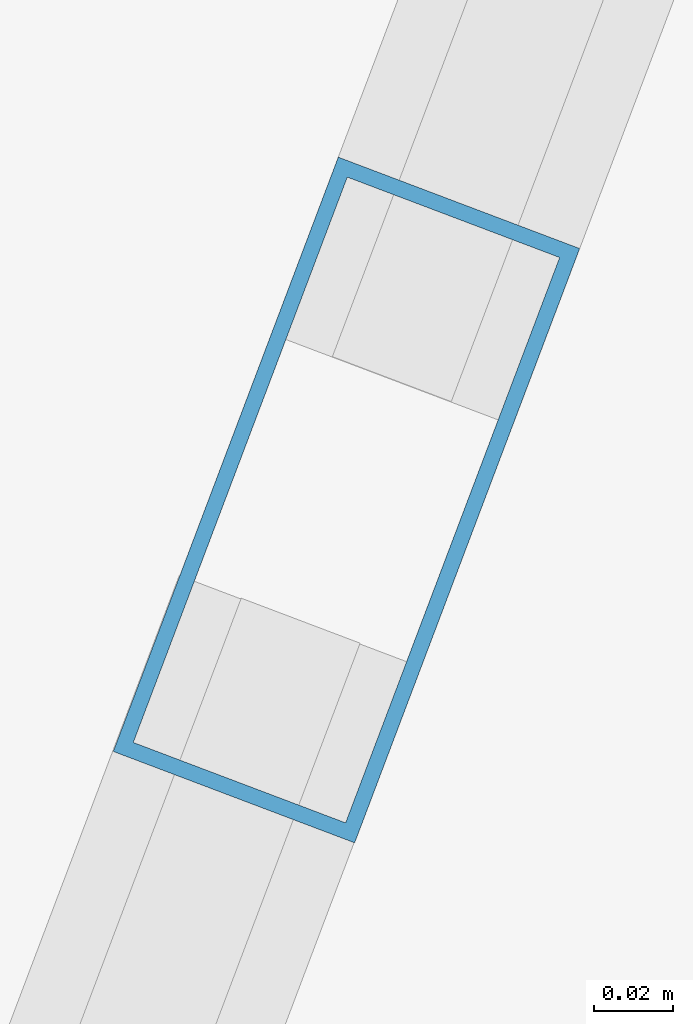
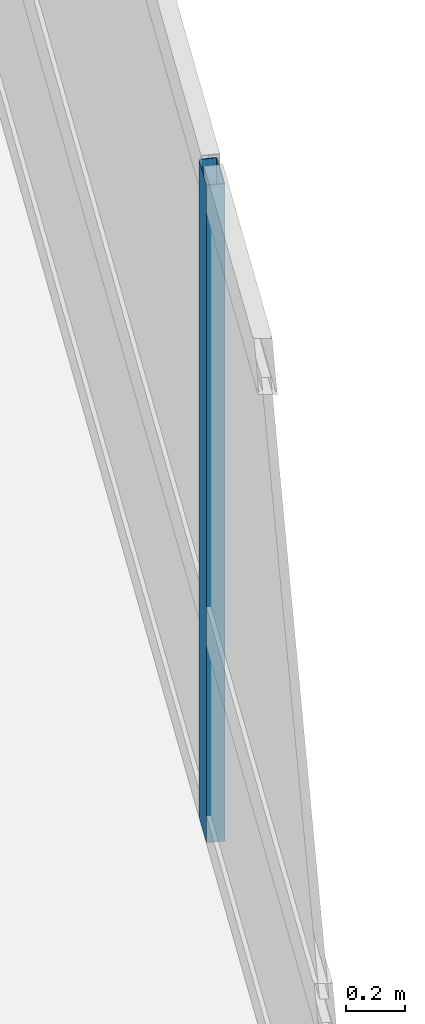
# One storey, part 14 of 25: 1 member, 1 element without a shape of its own.
"""IFC4 building model written with IfcOpenShell, lengths in metres."""

from ifc_helpers import new_model, si_unit, direction, frame, origin, origin_2d, place, context, subcontext, project, spatial, hollow_rectangle, extrude, material, layer, layer_set, material_profile, profile_set, type_object, element, aggregate, save


model = new_model("IFC4")

# Units and contexts
model_context = context("Model", 3, precision=1e-05, world=origin(), true_north=direction((0.0, 1.0)))
body_context = subcontext(model_context, "Body", "Model", "MODEL_VIEW")
ifc_project = project(units=[si_unit("LENGTHUNIT", "METRE"), si_unit("AREAUNIT", "SQUARE_METRE"), si_unit("VOLUMEUNIT", "CUBIC_METRE"), si_unit("PLANEANGLEUNIT", "RADIAN"), si_unit("MASSUNIT", "GRAM", prefix="KILO")], contexts=[model_context])

# Site, building, storey
site_placement = place(None, origin())
site = spatial("IfcSite", under=ifc_project, at=site_placement, CompositionType="ELEMENT")
building_placement = place(site_placement, origin())
building = spatial("IfcBuilding", under=site, at=building_placement, Name="Varnelok Gate Tower", CompositionType="ELEMENT")
storey_placement = place(building_placement, frame((0.0, 0.0, 105.800048828125)))
storey = spatial("IfcBuildingStorey", under=building, at=storey_placement, Name="L26", CompositionType="ELEMENT", Elevation=105.800048828125)

# Curtain wall, member
ifc_material = material(Name="Anodized Aluminum Alloy 6063-T6", Category="aluminium")
ifc_layer = layer(ifc_material, 0.179931640625)
ifc_layer_set = layer_set([ifc_layer], Name="Anodized Aluminum Alloy 6063-T6")
curtain_wall_type = type_object("IfcCurtainWallType", Name="CW3-HOTEL-VISION", PredefinedType="USERDEFINED", material=ifc_layer_set)
curtain_wall_placement = place(storey_placement, origin())
curtain_wall = element("IfcCurtainWall", 1, at=curtain_wall_placement, inside=storey, type_object=curtain_wall_type, Name="L26 East End Vision Curtain Wall", ObjectType="UNITISED CURTAIN WALL", PredefinedType="USERDEFINED")
ifc_material_profile = material_profile(ifc_material, hollow_rectangle(XDim=0.06494140625, YDim=0.159912109375, WallThickness=0.00390625, at=origin_2d()), Name="ALU160X65X4")
ifc_profile_set = profile_set([ifc_material_profile], Name="Anodized Aluminum Alloy 6063-T6")
member_type = type_object("IfcMemberType", Name="CW-MULL-160", PredefinedType="MULLION", material=ifc_profile_set)
member_placement = place(storey_placement, frame((77.8916015625, 22.26416015625, 0.0), z_axis=(0.0, 0.0, 1.0), x_axis=(0.935221323688, -0.354063660545, 0.0)))
member = element("IfcMember", 2, at=member_placement, type_object=member_type, Name="CW3 mullion 2", PredefinedType="MULLION", context=body_context, shape_type="SweptSolid", body=[
    extrude(hollow_rectangle(XDim=0.06494140625, YDim=0.159912109375, WallThickness=0.00390625, at=origin_2d()), origin(), (0.0, 0.0, 1.0), 2.72998046875),
])
aggregate(curtain_wall, [member])

save(model, "model.ifc")
